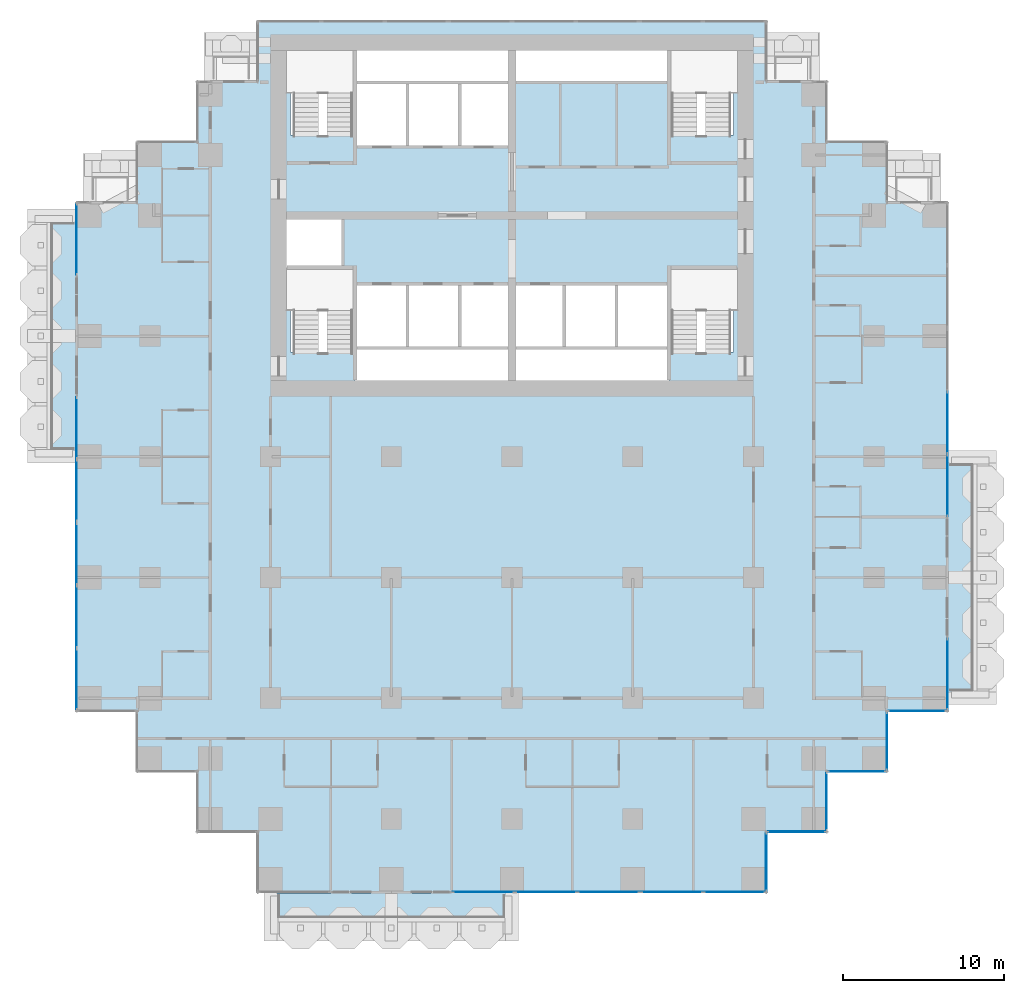
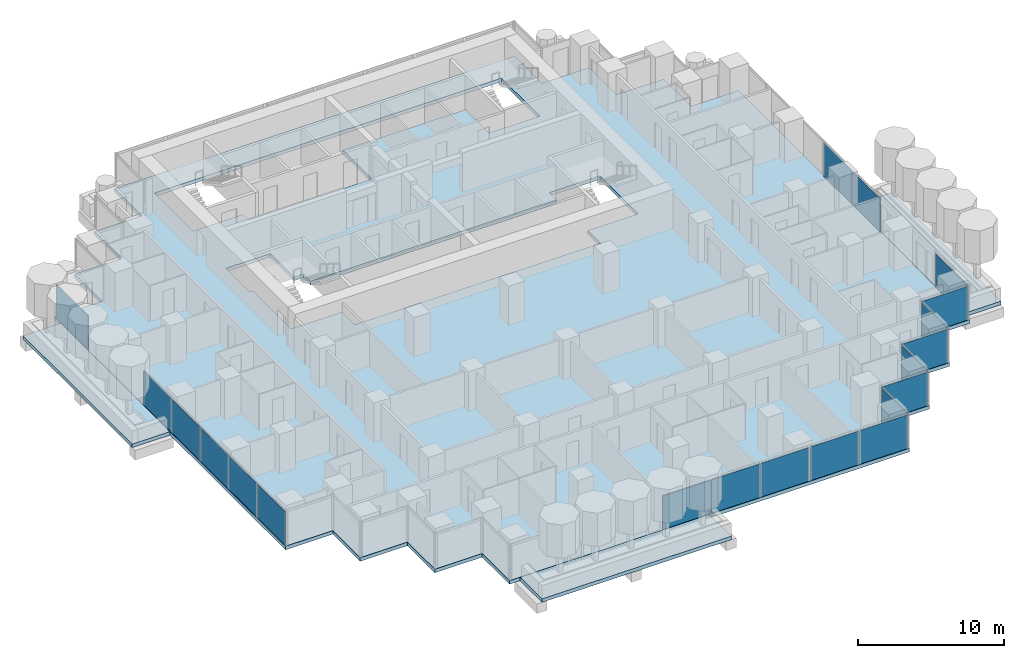
# One storey, part 8 of 18: 20 plates, 4 slabs, 13 elements without a shape of their own.
"""IFC4 building model written with IfcOpenShell, lengths in metres."""

from ifc_helpers import new_model, si_unit, direction, frame, origin, origin_2d, place, context, subcontext, project, spatial, polyline, rectangle, outline, extrude, material, layer, layer_set, type_object, element, aggregate, save


model = new_model("IFC4")

# Units and contexts
model_context = context("Model", 3, precision=1e-05, world=origin(), true_north=direction((0.0, 1.0)))
body_context = subcontext(model_context, "Body", "Model", "MODEL_VIEW")
ifc_project = project(units=[si_unit("LENGTHUNIT", "METRE"), si_unit("AREAUNIT", "SQUARE_METRE"), si_unit("VOLUMEUNIT", "CUBIC_METRE"), si_unit("PLANEANGLEUNIT", "RADIAN"), si_unit("MASSUNIT", "GRAM", prefix="KILO")], contexts=[model_context])

# Site, building, storey
site_placement = place(None, origin())
site = spatial("IfcSite", under=ifc_project, at=site_placement, CompositionType="ELEMENT")
building_placement = place(site_placement, origin())
building = spatial("IfcBuilding", under=site, at=building_placement, Name="Pilkhan Gate Tower", CompositionType="ELEMENT")
storey_placement = place(building_placement, frame((0.0, 0.0, 56.0)))
storey = spatial("IfcBuildingStorey", under=building, at=storey_placement, Name="L11", CompositionType="ELEMENT", Elevation=56.0)

# Slabs
ifc_material_1 = material(Name="Concrete C60/75", Category="concrete")
ifc_layer_1 = layer(ifc_material_1, 0.300048828125)
ifc_layer_set_1 = layer_set([ifc_layer_1], Name="Balcony tray slab TR300")
slab_type_1 = type_object("IfcSlabType", Name="Balcony tray slab TR300", PredefinedType="FLOOR", material=ifc_layer_set_1)
slab_1_placement = place(storey_placement, frame((0.0, 0.0, -0.300048828125)))
element("IfcSlab", 1, at=slab_1_placement, inside=storey, type_object=slab_type_1, Name="Balcony tray L11 S", PredefinedType="FLOOR", context=body_context, shape_type="SweptSolid", body=[
    extrude(outline(polyline([(75.0, 37.39990234375), (75.0, 40.39990234375), (60.0, 40.39990234375), (60.0, 37.39990234375), (75.0, 37.39990234375)])), origin(), (0.0, 0.0, 1.0), 0.300048828125),
])
slab_2_placement = place(storey_placement, frame((0.0, 0.0, -0.300048828125)))
element("IfcSlab", 2, at=slab_2_placement, inside=storey, type_object=slab_type_1, Name="Balcony tray L11 E", PredefinedType="FLOOR", context=body_context, shape_type="SweptSolid", body=[
    extrude(outline(polyline([(105.10009765625, 52.5), (105.10009765625, 67.5), (102.10009765625, 67.5), (102.10009765625, 52.5), (105.10009765625, 52.5)])), origin(), (0.0, 0.0, 1.0), 0.300048828125),
])
slab_3_placement = place(storey_placement, frame((0.0, 0.0, -0.300048828125)))
element("IfcSlab", 3, at=slab_3_placement, inside=storey, type_object=slab_type_1, Name="Balcony tray L11 W", PredefinedType="FLOOR", context=body_context, shape_type="SweptSolid", body=[
    extrude(outline(polyline([(47.89990234375, 67.5), (47.89990234375, 82.5), (44.89990234375, 82.5), (44.89990234375, 67.5), (47.89990234375, 67.5)])), origin(), (0.0, 0.0, 1.0), 0.300048828125),
])
ifc_material_2 = material(Name="Concrete C40/50", Category="concrete")
ifc_layer_2 = layer(ifc_material_2, 0.300048828125)
ifc_layer_set_2 = layer_set([ifc_layer_2], Name="Flat plate slab FP300")
slab_type_2 = type_object("IfcSlabType", Name="Flat plate slab FP300", PredefinedType="FLOOR", material=ifc_layer_set_2)
slab_4_placement = place(storey_placement, frame((0.0, 0.0, -0.300048828125)))
element("IfcSlab", 4, at=slab_4_placement, inside=storey, type_object=slab_type_2, Name="Floor slab L11", PredefinedType="FLOOR", context=body_context, shape_type="SweptSolid", body=[
    extrude(outline(polyline([(98.35009765625, 47.89990234375), (94.60009765625, 47.89990234375), (94.60009765625, 44.14990234375), (90.85009765625, 44.14990234375), (90.85009765625, 40.39990234375), (59.14990234375, 40.39990234375), (59.14990234375, 44.14990234375), (55.39990234375, 44.14990234375), (55.39990234375, 47.89990234375), (51.64990234375, 47.89990234375), (51.64990234375, 51.64990234375), (47.89990234375, 51.64990234375), (47.89990234375, 83.35009765625), (51.64990234375, 83.35009765625), (51.64990234375, 87.10009765625), (55.39990234375, 87.10009765625), (55.39990234375, 90.85009765625), (59.14990234375, 90.85009765625), (59.14990234375, 94.60009765625), (90.85009765625, 94.60009765625), (90.85009765625, 90.85009765625), (94.60009765625, 90.85009765625), (94.60009765625, 87.10009765625), (98.35009765625, 87.10009765625), (98.35009765625, 83.35009765625), (102.10009765625, 83.35009765625), (102.10009765625, 51.64990234375), (98.35009765625, 51.64990234375), (98.35009765625, 47.89990234375)]), holes=[polyline([(65.25, 87.5), (65.25, 86.75), (68.5, 86.75), (71.75, 86.75), (75.0, 86.75), (75.0, 90.75), (84.75, 90.75), (84.75, 87.5), (88.75, 87.5), (88.75, 92.75), (84.75, 92.75), (75.0, 92.75), (65.25, 92.75), (61.25, 92.75), (61.25, 87.5), (65.25, 87.5)]), polyline([(75.0, 72.25), (84.75, 72.25), (84.75, 74.0), (88.75, 74.0), (88.75, 79.25), (84.75, 79.25), (84.75, 78.25), (81.5, 78.25), (78.25, 78.25), (75.0, 78.25), (71.75, 78.25), (68.5, 78.25), (65.25, 78.25), (65.25, 79.25), (64.5, 79.25), (64.5, 82.5), (61.25, 82.5), (61.0, 82.5), (61.0, 79.25), (61.25, 79.25), (61.25, 74.0), (65.25, 74.0), (65.25, 72.25), (75.0, 72.25)])]), origin(), (0.0, 0.0, 1.0), 0.300048828125),
])

# Curtain wall, plate
ifc_material_3 = material(Name="Pale anodised aluminium, clear low-iron double glazing", Category="aluminium")
curtain_wall_type = type_object("IfcCurtainWallType", Name="Hotel unitised curtain wall CW-H", PredefinedType="USERDEFINED", material=ifc_material_3)
curtain_wall_1_placement = place(storey_placement, origin())
curtain_wall_1 = element("IfcCurtainWall", 5, at=curtain_wall_1_placement, inside=storey, type_object=curtain_wall_type, Name="Hotel unitised curtain wall CW-H L11 E", ObjectType="UNITISED CURTAIN WALL", PredefinedType="USERDEFINED")
ifc_material_4 = material(Name="Clear low-iron double glazing", Category="glass")
ifc_layer_3 = layer(ifc_material_4, 0.035888671875)
ifc_layer_set_3 = layer_set([ifc_layer_3], Name="Glass panel CW-H 36")
plate_type = type_object("IfcPlateType", Name="Glass panel CW-H 36", PredefinedType="CURTAIN_PANEL", material=ifc_layer_set_3)
plate_1_placement = place(storey_placement, frame((102.044921875, 53.9775390625, 0.0), z_axis=(0.0, 0.0, 1.0), x_axis=(0.0, 1.0, 0.0)))
plate_1 = element("IfcPlate", 6, at=plate_1_placement, type_object=plate_type, Name="CW-H panel 1", PredefinedType="CURTAIN_PANEL", context=body_context, shape_type="SweptSolid", body=[
    extrude(rectangle(XDim=4.4150390625, YDim=0.035888671875, at=origin_2d()), origin(), (0.0, 0.0, 1.0), 2.820068359375),
])
aggregate(curtain_wall_1, [plate_1])

# Curtain wall, plates
curtain_wall_2_placement = place(storey_placement, origin())
curtain_wall_2 = element("IfcCurtainWall", 7, at=curtain_wall_2_placement, inside=storey, type_object=curtain_wall_type, Name="Hotel unitised curtain wall CW-H L11 E", ObjectType="UNITISED CURTAIN WALL", PredefinedType="USERDEFINED")
plate_2_placement = place(storey_placement, frame((102.044921875, 65.720703125, 0.0), z_axis=(0.0, 0.0, 1.0), x_axis=(0.0, 1.0, 0.0)))
plate_2 = element("IfcPlate", 8, at=plate_2_placement, type_object=plate_type, Name="CW-H panel 1", PredefinedType="CURTAIN_PANEL", context=body_context, shape_type="SweptSolid", body=[
    extrude(rectangle(XDim=3.8115234375, YDim=0.035888671875, at=origin_2d()), origin(), (0.0, 0.0, 1.0), 2.820068359375),
])
plate_3_placement = place(storey_placement, frame((102.044921875, 69.613525390625, 0.0), z_axis=(0.0, 0.0, 1.0), x_axis=(0.0, 1.0, 0.0)))
plate_3 = element("IfcPlate", 9, at=plate_3_placement, type_object=plate_type, Name="CW-H panel 2", PredefinedType="CURTAIN_PANEL", context=body_context, shape_type="SweptSolid", body=[
    extrude(rectangle(XDim=3.843994140625, YDim=0.035888671875, at=origin_2d()), origin(), (0.0, 0.0, 1.0), 2.820068359375),
])
aggregate(curtain_wall_2, [plate_2, plate_3])

curtain_wall_3_placement = place(storey_placement, origin())
curtain_wall_3 = element("IfcCurtainWall", 10, at=curtain_wall_3_placement, inside=storey, type_object=curtain_wall_type, Name="Hotel unitised curtain wall CW-H L11 W", ObjectType="UNITISED CURTAIN WALL", PredefinedType="USERDEFINED")
plate_4_placement = place(storey_placement, frame((47.955078125, 53.67578125, 0.0), z_axis=(0.0, 0.0, 1.0), x_axis=(0.0, 1.0, 0.0)))
plate_4 = element("IfcPlate", 11, at=plate_4_placement, type_object=plate_type, Name="CW-H panel 1", PredefinedType="CURTAIN_PANEL", context=body_context, shape_type="SweptSolid", body=[
    extrude(rectangle(XDim=3.8115234375, YDim=0.035888671875, at=origin_2d()), origin(), (0.0, 0.0, 1.0), 2.820068359375),
])
plate_5_placement = place(storey_placement, frame((47.955078125, 57.568603515625, 0.0), z_axis=(0.0, 0.0, 1.0), x_axis=(0.0, 1.0, 0.0)))
plate_5 = element("IfcPlate", 12, at=plate_5_placement, type_object=plate_type, Name="CW-H panel 2", PredefinedType="CURTAIN_PANEL", context=body_context, shape_type="SweptSolid", body=[
    extrude(rectangle(XDim=3.843994140625, YDim=0.035888671875, at=origin_2d()), origin(), (0.0, 0.0, 1.0), 2.820068359375),
])
plate_6_placement = place(storey_placement, frame((47.955078125, 61.461181640625, 0.0), z_axis=(0.0, 0.0, 1.0), x_axis=(0.0, 1.0, 0.0)))
plate_6 = element("IfcPlate", 13, at=plate_6_placement, type_object=plate_type, Name="CW-H panel 3", PredefinedType="CURTAIN_PANEL", context=body_context, shape_type="SweptSolid", body=[
    extrude(rectangle(XDim=3.8115234375, YDim=0.035888671875, at=origin_2d()), origin(), (0.0, 0.0, 1.0), 2.820068359375),
])
aggregate(curtain_wall_3, [plate_4, plate_5, plate_6])

curtain_wall_4_placement = place(storey_placement, origin())
curtain_wall_4 = element("IfcCurtainWall", 14, at=curtain_wall_4_placement, inside=storey, type_object=curtain_wall_type, Name="Hotel unitised curtain wall CW-H L11 W", ObjectType="UNITISED CURTAIN WALL", PredefinedType="USERDEFINED")
plate_7_placement = place(storey_placement, frame((47.955078125, 65.40283203125, 0.0), z_axis=(0.0, 0.0, 1.0), x_axis=(0.0, 1.0, 0.0)))
plate_7 = element("IfcPlate", 15, at=plate_7_placement, type_object=plate_type, Name="CW-H panel 1", PredefinedType="CURTAIN_PANEL", context=body_context, shape_type="SweptSolid", body=[
    extrude(rectangle(XDim=3.8115234375, YDim=0.035888671875, at=origin_2d()), origin(), (0.0, 0.0, 1.0), 2.820068359375),
])
plate_8_placement = place(storey_placement, frame((47.955078125, 69.279296875, 0.0), z_axis=(0.0, 0.0, 1.0), x_axis=(0.0, 1.0, 0.0)))
plate_8 = element("IfcPlate", 16, at=plate_8_placement, type_object=plate_type, Name="CW-H panel 2", PredefinedType="CURTAIN_PANEL", context=body_context, shape_type="SweptSolid", body=[
    extrude(rectangle(XDim=3.8115234375, YDim=0.035888671875, at=origin_2d()), origin(), (0.0, 0.0, 1.0), 2.820068359375),
])
aggregate(curtain_wall_4, [plate_7, plate_8])

# Curtain wall, plate
curtain_wall_5_placement = place(storey_placement, origin())
curtain_wall_5 = element("IfcCurtainWall", 17, at=curtain_wall_5_placement, inside=storey, type_object=curtain_wall_type, Name="Hotel unitised curtain wall CW-H L11 W", ObjectType="UNITISED CURTAIN WALL", PredefinedType="USERDEFINED")
plate_9_placement = place(storey_placement, frame((47.955078125, 81.0224609375, 0.0), z_axis=(0.0, 0.0, 1.0), x_axis=(0.0, 1.0, 0.0)))
plate_9 = element("IfcPlate", 18, at=plate_9_placement, type_object=plate_type, Name="CW-H panel 1", PredefinedType="CURTAIN_PANEL", context=body_context, shape_type="SweptSolid", body=[
    extrude(rectangle(XDim=4.4150390625, YDim=0.035888671875, at=origin_2d()), origin(), (0.0, 0.0, 1.0), 2.820068359375),
])
aggregate(curtain_wall_5, [plate_9])

# Curtain wall, plates
curtain_wall_6_placement = place(storey_placement, origin())
curtain_wall_6 = element("IfcCurtainWall", 19, at=curtain_wall_6_placement, inside=storey, type_object=curtain_wall_type, Name="Hotel unitised curtain wall CW-H L11 S", ObjectType="UNITISED CURTAIN WALL", PredefinedType="USERDEFINED")
plate_10_placement = place(storey_placement, frame((73.220703125, 40.455078125, 0.0), z_axis=(0.0, 0.0, 1.0), x_axis=(1.0, 0.0, 0.0)))
plate_10 = element("IfcPlate", 20, at=plate_10_placement, type_object=plate_type, Name="CW-H panel 1", PredefinedType="CURTAIN_PANEL", context=body_context, shape_type="SweptSolid", body=[
    extrude(rectangle(XDim=3.8115234375, YDim=0.035888671875, at=origin_2d()), origin(), (0.0, 0.0, 1.0), 2.820068359375),
])
plate_11_placement = place(storey_placement, frame((77.113525390625, 40.455078125, 0.0), z_axis=(0.0, 0.0, 1.0), x_axis=(1.0, 0.0, 0.0)))
plate_11 = element("IfcPlate", 21, at=plate_11_placement, type_object=plate_type, Name="CW-H panel 2", PredefinedType="CURTAIN_PANEL", context=body_context, shape_type="SweptSolid", body=[
    extrude(rectangle(XDim=3.843994140625, YDim=0.035888671875, at=origin_2d()), origin(), (0.0, 0.0, 1.0), 2.820068359375),
])
plate_12_placement = place(storey_placement, frame((81.00634765625, 40.455078125, 0.0), z_axis=(0.0, 0.0, 1.0), x_axis=(1.0, 0.0, 0.0)))
plate_12 = element("IfcPlate", 22, at=plate_12_placement, type_object=plate_type, Name="CW-H panel 3", PredefinedType="CURTAIN_PANEL", context=body_context, shape_type="SweptSolid", body=[
    extrude(rectangle(XDim=3.8115234375, YDim=0.035888671875, at=origin_2d()), origin(), (0.0, 0.0, 1.0), 2.820068359375),
])
aggregate(curtain_wall_6, [plate_10, plate_11, plate_12])

curtain_wall_7_placement = place(storey_placement, origin())
curtain_wall_7 = element("IfcCurtainWall", 23, at=curtain_wall_7_placement, inside=storey, type_object=curtain_wall_type, Name="Hotel unitised curtain wall CW-H L11 S", ObjectType="UNITISED CURTAIN WALL", PredefinedType="USERDEFINED")
plate_13_placement = place(storey_placement, frame((84.94775390625, 40.455078125, 0.0), z_axis=(0.0, 0.0, 1.0), x_axis=(1.0, 0.0, 0.0)))
plate_13 = element("IfcPlate", 24, at=plate_13_placement, type_object=plate_type, Name="CW-H panel 1", PredefinedType="CURTAIN_PANEL", context=body_context, shape_type="SweptSolid", body=[
    extrude(rectangle(XDim=3.8115234375, YDim=0.035888671875, at=origin_2d()), origin(), (0.0, 0.0, 1.0), 2.820068359375),
])
plate_14_placement = place(storey_placement, frame((88.82421875, 40.455078125, 0.0), z_axis=(0.0, 0.0, 1.0), x_axis=(1.0, 0.0, 0.0)))
plate_14 = element("IfcPlate", 25, at=plate_14_placement, type_object=plate_type, Name="CW-H panel 2", PredefinedType="CURTAIN_PANEL", context=body_context, shape_type="SweptSolid", body=[
    extrude(rectangle(XDim=3.8115234375, YDim=0.035888671875, at=origin_2d()), origin(), (0.0, 0.0, 1.0), 2.820068359375),
])
aggregate(curtain_wall_7, [plate_13, plate_14])

# Curtain wall, plate
curtain_wall_8_placement = place(storey_placement, origin())
curtain_wall_8 = element("IfcCurtainWall", 26, at=curtain_wall_8_placement, inside=storey, type_object=curtain_wall_type, Name="Hotel unitised curtain wall CW-H L11 E", ObjectType="UNITISED CURTAIN WALL", PredefinedType="USERDEFINED")
plate_15_placement = place(storey_placement, frame((90.794921875, 42.330078125, 0.0), z_axis=(0.0, 0.0, 1.0), x_axis=(0.0, 1.0, 0.0)))
plate_15 = element("IfcPlate", 27, at=plate_15_placement, type_object=plate_type, Name="CW-H panel 1", PredefinedType="CURTAIN_PANEL", context=body_context, shape_type="SweptSolid", body=[
    extrude(rectangle(XDim=3.6201171875, YDim=0.035888671875, at=origin_2d()), origin(), (0.0, 0.0, 1.0), 2.820068359375),
])
aggregate(curtain_wall_8, [plate_15])

curtain_wall_9_placement = place(storey_placement, origin())
curtain_wall_9 = element("IfcCurtainWall", 28, at=curtain_wall_9_placement, inside=storey, type_object=curtain_wall_type, Name="Hotel unitised curtain wall CW-H L11 S", ObjectType="UNITISED CURTAIN WALL", PredefinedType="USERDEFINED")
plate_16_placement = place(storey_placement, frame((92.669921875, 44.205078125, 0.0), z_axis=(0.0, 0.0, 1.0), x_axis=(1.0, 0.0, 0.0)))
plate_16 = element("IfcPlate", 29, at=plate_16_placement, type_object=plate_type, Name="CW-H panel 1", PredefinedType="CURTAIN_PANEL", context=body_context, shape_type="SweptSolid", body=[
    extrude(rectangle(XDim=3.6201171875, YDim=0.035888671875, at=origin_2d()), origin(), (0.0, 0.0, 1.0), 2.820068359375),
])
aggregate(curtain_wall_9, [plate_16])

curtain_wall_10_placement = place(storey_placement, origin())
curtain_wall_10 = element("IfcCurtainWall", 30, at=curtain_wall_10_placement, inside=storey, type_object=curtain_wall_type, Name="Hotel unitised curtain wall CW-H L11 E", ObjectType="UNITISED CURTAIN WALL", PredefinedType="USERDEFINED")
plate_17_placement = place(storey_placement, frame((94.544921875, 46.080078125, 0.0), z_axis=(0.0, 0.0, 1.0), x_axis=(0.0, 1.0, 0.0)))
plate_17 = element("IfcPlate", 31, at=plate_17_placement, type_object=plate_type, Name="CW-H panel 1", PredefinedType="CURTAIN_PANEL", context=body_context, shape_type="SweptSolid", body=[
    extrude(rectangle(XDim=3.6201171875, YDim=0.035888671875, at=origin_2d()), origin(), (0.0, 0.0, 1.0), 2.820068359375),
])
aggregate(curtain_wall_10, [plate_17])

curtain_wall_11_placement = place(storey_placement, origin())
curtain_wall_11 = element("IfcCurtainWall", 32, at=curtain_wall_11_placement, inside=storey, type_object=curtain_wall_type, Name="Hotel unitised curtain wall CW-H L11 S", ObjectType="UNITISED CURTAIN WALL", PredefinedType="USERDEFINED")
plate_18_placement = place(storey_placement, frame((96.419921875, 47.955078125, 0.0), z_axis=(0.0, 0.0, 1.0), x_axis=(1.0, 0.0, 0.0)))
plate_18 = element("IfcPlate", 33, at=plate_18_placement, type_object=plate_type, Name="CW-H panel 1", PredefinedType="CURTAIN_PANEL", context=body_context, shape_type="SweptSolid", body=[
    extrude(rectangle(XDim=3.6201171875, YDim=0.035888671875, at=origin_2d()), origin(), (0.0, 0.0, 1.0), 2.820068359375),
])
aggregate(curtain_wall_11, [plate_18])

curtain_wall_12_placement = place(storey_placement, origin())
curtain_wall_12 = element("IfcCurtainWall", 34, at=curtain_wall_12_placement, inside=storey, type_object=curtain_wall_type, Name="Hotel unitised curtain wall CW-H L11 E", ObjectType="UNITISED CURTAIN WALL", PredefinedType="USERDEFINED")
plate_19_placement = place(storey_placement, frame((98.294921875, 49.830078125, 0.0), z_axis=(0.0, 0.0, 1.0), x_axis=(0.0, 1.0, 0.0)))
plate_19 = element("IfcPlate", 35, at=plate_19_placement, type_object=plate_type, Name="CW-H panel 1", PredefinedType="CURTAIN_PANEL", context=body_context, shape_type="SweptSolid", body=[
    extrude(rectangle(XDim=3.6201171875, YDim=0.035888671875, at=origin_2d()), origin(), (0.0, 0.0, 1.0), 2.820068359375),
])
aggregate(curtain_wall_12, [plate_19])

curtain_wall_13_placement = place(storey_placement, origin())
curtain_wall_13 = element("IfcCurtainWall", 36, at=curtain_wall_13_placement, inside=storey, type_object=curtain_wall_type, Name="Hotel unitised curtain wall CW-H L11 S", ObjectType="UNITISED CURTAIN WALL", PredefinedType="USERDEFINED")
plate_20_placement = place(storey_placement, frame((100.169921875, 51.705078125, 0.0), z_axis=(0.0, 0.0, 1.0), x_axis=(1.0, 0.0, 0.0)))
plate_20 = element("IfcPlate", 37, at=plate_20_placement, type_object=plate_type, Name="CW-H panel 1", PredefinedType="CURTAIN_PANEL", context=body_context, shape_type="SweptSolid", body=[
    extrude(rectangle(XDim=3.6201171875, YDim=0.035888671875, at=origin_2d()), origin(), (0.0, 0.0, 1.0), 2.820068359375),
])
aggregate(curtain_wall_13, [plate_20])

save(model, "model.ifc")
